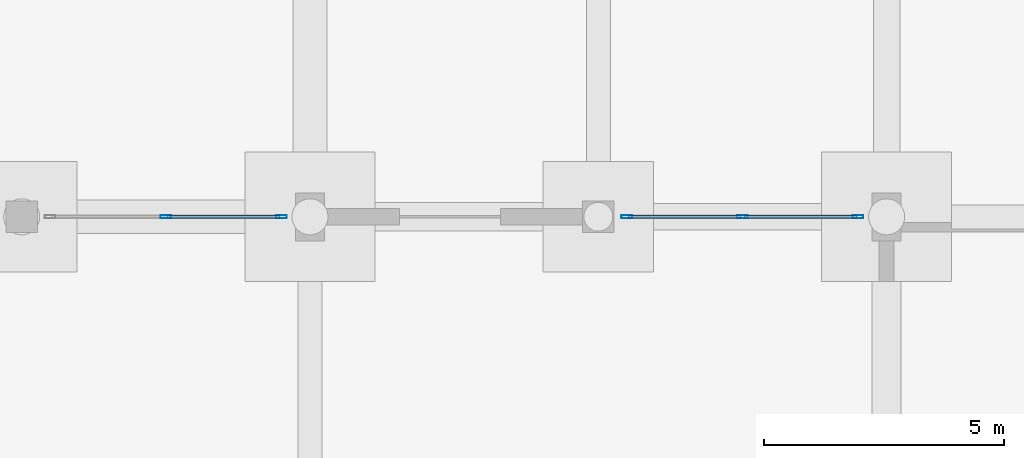
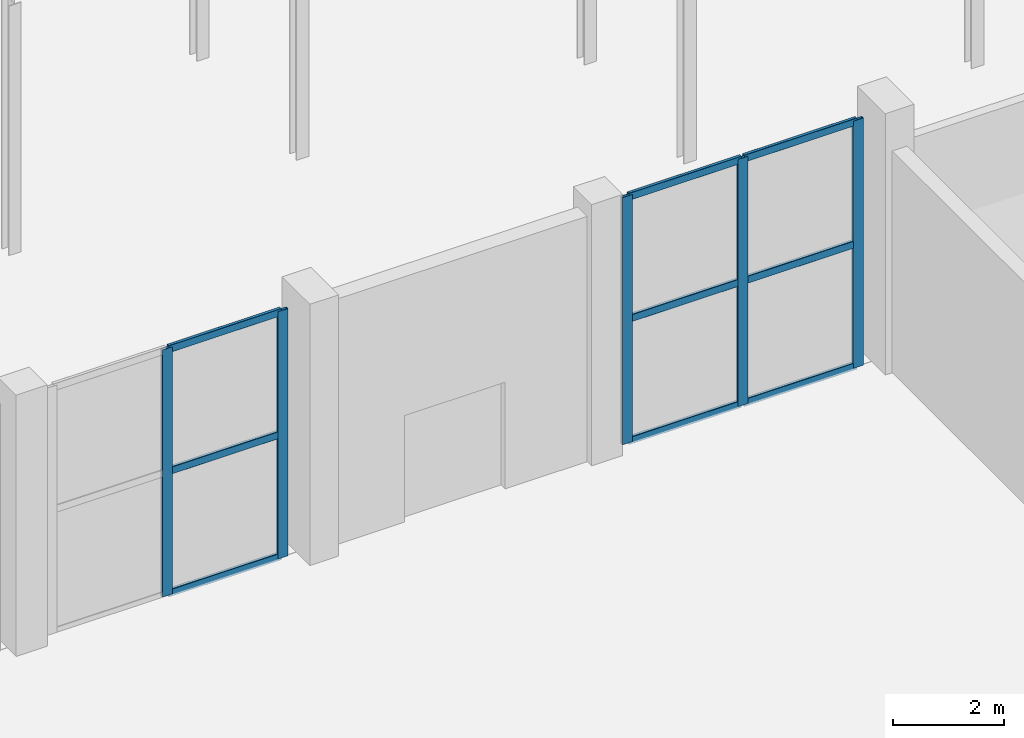
# One storey, part 62 of 103: 14 members, 2 elements without a shape of their own.
"""IFC4 building model written with IfcOpenShell, lengths in metres."""

from ifc_helpers import new_model, si_unit, direction, frame, origin, origin_2d, place, context, subcontext, project, spatial, hollow_rectangle, extrude, material, layer, layer_set, material_profile, profile_set, type_object, element, aggregate, save


model = new_model("IFC4")

# Units and contexts
model_context = context("Model", 3, precision=1e-05, world=origin(), true_north=direction((0.0, 1.0)))
body_context = subcontext(model_context, "Body", "Model", "MODEL_VIEW")
ifc_project = project(units=[si_unit("LENGTHUNIT", "METRE"), si_unit("AREAUNIT", "SQUARE_METRE"), si_unit("VOLUMEUNIT", "CUBIC_METRE"), si_unit("PLANEANGLEUNIT", "RADIAN"), si_unit("MASSUNIT", "GRAM", prefix="KILO")], contexts=[model_context])

# Site, building, storey
site_placement = place(None, origin())
site = spatial("IfcSite", under=ifc_project, at=site_placement, CompositionType="ELEMENT")
building_placement = place(site_placement, origin())
building = spatial("IfcBuilding", under=site, at=building_placement, Name="Dunvalen Ferry Terminal", CompositionType="ELEMENT")
storey_placement = place(building_placement, origin())
storey = spatial("IfcBuildingStorey", under=building, at=storey_placement, Name="L00", CompositionType="ELEMENT", Elevation=0.0)

# Curtain wall, members
ifc_material_1 = material(Name="Anodised marine aluminium and solar-control glazing", Category="aluminium")
ifc_layer = layer(ifc_material_1, 0.219970703125, Name="Anodised marine aluminium and solar-control glazing")
ifc_layer_set = layer_set([ifc_layer], Name="Anodised marine aluminium and solar-control glazing")
curtain_wall_type = type_object("IfcCurtainWallType", Name="ENV-CW-SYS-01", PredefinedType="NOTDEFINED", material=ifc_layer_set)
curtain_wall_1_placement = place(storey_placement, origin())
curtain_wall_1 = element("IfcCurtainWall", 1, at=curtain_wall_1_placement, inside=storey, type_object=curtain_wall_type, Name="L00 Curtain Wall CW-V2S-L00-04", PredefinedType="NOTDEFINED")
ifc_material_2 = material(Name="Anodised marine aluminium EN AW-6063 T6", Category="aluminium")
ifc_material_profile_1 = material_profile(ifc_material_2, hollow_rectangle(XDim=0.06494140625, YDim=0.219970703125, WallThickness=0.00390625, InnerFilletRadius=0.00390625, OuterFilletRadius=0.008056640625, at=origin_2d()), Name="Anodised marine aluminium EN AW-6063 T6")
ifc_profile_set_1 = profile_set([ifc_material_profile_1], Name="Anodised marine aluminium EN AW-6063 T6")
member_type_1 = type_object("IfcMemberType", Name="ENV-CW-MUL-1", PredefinedType="MULLION", material=ifc_profile_set_1)
member_1_placement = place(storey_placement, frame((129.0, 57.60009765625, 0.0), z_axis=(0.0, 0.0, 1.0), x_axis=(0.0, 1.0, 0.0)))
member_1 = element("IfcMember", 2, at=member_1_placement, type_object=member_type_1, Name="CW-01 mullion 2", PredefinedType="MULLION", context=body_context, shape_type="SweptSolid", body=[
    extrude(hollow_rectangle(XDim=0.06494140625, YDim=0.219970703125, WallThickness=0.00390625, InnerFilletRadius=0.00390625, OuterFilletRadius=0.008056640625, at=origin_2d()), origin(), (0.0, 0.0, 1.0), 5.449951171875),
])
member_2_placement = place(storey_placement, frame((131.407470703125, 57.60009765625, 0.0), z_axis=(0.0, 0.0, 1.0), x_axis=(0.0, 1.0, 0.0)))
member_2 = element("IfcMember", 3, at=member_2_placement, type_object=member_type_1, Name="CW-01 mullion 3", PredefinedType="MULLION", context=body_context, shape_type="SweptSolid", body=[
    extrude(hollow_rectangle(XDim=0.06494140625, YDim=0.219970703125, WallThickness=0.00390625, InnerFilletRadius=0.00390625, OuterFilletRadius=0.008056640625, at=origin_2d()), origin(), (0.0, 0.0, 1.0), 5.449951171875),
])

curtain_wall_2_placement = place(storey_placement, origin())
curtain_wall_2 = element("IfcCurtainWall", 4, at=curtain_wall_2_placement, inside=storey, type_object=curtain_wall_type, Name="L00 Curtain Wall CW-V2S-L00-06", PredefinedType="NOTDEFINED")
member_3_placement = place(storey_placement, frame((138.592529296875, 57.60009765625, 0.0), z_axis=(0.0, 0.0, 1.0), x_axis=(0.0, 1.0, 0.0)))
member_3 = element("IfcMember", 5, at=member_3_placement, type_object=member_type_1, Name="CW-01 mullion 1", PredefinedType="MULLION", context=body_context, shape_type="SweptSolid", body=[
    extrude(hollow_rectangle(XDim=0.06494140625, YDim=0.219970703125, WallThickness=0.00390625, InnerFilletRadius=0.00390625, OuterFilletRadius=0.008056640625, at=origin_2d()), origin(), (0.0, 0.0, 1.0), 5.449951171875),
])
member_4_placement = place(storey_placement, frame((141.0, 57.60009765625, 0.0), z_axis=(0.0, 0.0, 1.0), x_axis=(0.0, 1.0, 0.0)))
member_4 = element("IfcMember", 6, at=member_4_placement, type_object=member_type_1, Name="CW-01 mullion 2", PredefinedType="MULLION", context=body_context, shape_type="SweptSolid", body=[
    extrude(hollow_rectangle(XDim=0.06494140625, YDim=0.219970703125, WallThickness=0.00390625, InnerFilletRadius=0.00390625, OuterFilletRadius=0.008056640625, at=origin_2d()), origin(), (0.0, 0.0, 1.0), 5.449951171875),
])
member_5_placement = place(storey_placement, frame((143.407470703125, 57.60009765625, 0.0), z_axis=(0.0, 0.0, 1.0), x_axis=(0.0, 1.0, 0.0)))
member_5 = element("IfcMember", 7, at=member_5_placement, type_object=member_type_1, Name="CW-01 mullion 3", PredefinedType="MULLION", context=body_context, shape_type="SweptSolid", body=[
    extrude(hollow_rectangle(XDim=0.06494140625, YDim=0.219970703125, WallThickness=0.00390625, InnerFilletRadius=0.00390625, OuterFilletRadius=0.008056640625, at=origin_2d()), origin(), (0.0, 0.0, 1.0), 5.449951171875),
])

# Member
ifc_material_profile_2 = material_profile(ifc_material_2, hollow_rectangle(XDim=0.06494140625, YDim=0.159912109375, WallThickness=0.00341796875, InnerFilletRadius=0.00341796875, OuterFilletRadius=0.007080078125, at=origin_2d()), Name="Anodised marine aluminium EN AW-6063 T6")
ifc_profile_set_2 = profile_set([ifc_material_profile_2], Name="Anodised marine aluminium EN AW-6063 T6")
member_type_2 = type_object("IfcMemberType", Name="ENV-CW-TRN-1", PredefinedType="USERDEFINED", material=ifc_profile_set_2)
member_6_placement = place(storey_placement, frame((129.032470703125, 57.60009765625, 0.032470703125), z_axis=(1.0, 0.0, 0.0), x_axis=(0.0, 1.0, 0.0)))
member_6 = element("IfcMember", 8, at=member_6_placement, type_object=member_type_2, Name="CW-01 transom 2.1", ObjectType="TRANSOM", PredefinedType="USERDEFINED", context=body_context, shape_type="SweptSolid", body=[
    extrude(hollow_rectangle(XDim=0.06494140625, YDim=0.159912109375, WallThickness=0.00341796875, InnerFilletRadius=0.00341796875, OuterFilletRadius=0.007080078125, at=origin_2d()), origin(), (0.0, 0.0, 1.0), 2.342529296875),
])

member_7_placement = place(storey_placement, frame((129.032470703125, 57.60009765625, 2.72509765625), z_axis=(1.0, 0.0, 0.0), x_axis=(0.0, 1.0, 0.0)))
member_7 = element("IfcMember", 9, at=member_7_placement, type_object=member_type_2, Name="CW-01 transom 2.2", ObjectType="TRANSOM", PredefinedType="USERDEFINED", context=body_context, shape_type="SweptSolid", body=[
    extrude(hollow_rectangle(XDim=0.06494140625, YDim=0.159912109375, WallThickness=0.00341796875, InnerFilletRadius=0.00341796875, OuterFilletRadius=0.007080078125, at=origin_2d()), origin(), (0.0, 0.0, 1.0), 2.342529296875),
])

member_8_placement = place(storey_placement, frame((129.032470703125, 57.60009765625, 5.41748046875), z_axis=(1.0, 0.0, 0.0), x_axis=(0.0, 1.0, 0.0)))
member_8 = element("IfcMember", 10, at=member_8_placement, type_object=member_type_2, Name="CW-01 transom 2.3", ObjectType="TRANSOM", PredefinedType="USERDEFINED", context=body_context, shape_type="SweptSolid", body=[
    extrude(hollow_rectangle(XDim=0.06494140625, YDim=0.159912109375, WallThickness=0.00341796875, InnerFilletRadius=0.00341796875, OuterFilletRadius=0.007080078125, at=origin_2d()), origin(), (0.0, 0.0, 1.0), 2.342529296875),
])

aggregate(curtain_wall_1, [member_1, member_2, member_6, member_7, member_8])

member_9_placement = place(storey_placement, frame((138.625, 57.60009765625, 0.032470703125), z_axis=(1.0, 0.0, 0.0), x_axis=(0.0, 1.0, 0.0)))
member_9 = element("IfcMember", 11, at=member_9_placement, type_object=member_type_2, Name="CW-01 transom 1.1", ObjectType="TRANSOM", PredefinedType="USERDEFINED", context=body_context, shape_type="SweptSolid", body=[
    extrude(hollow_rectangle(XDim=0.06494140625, YDim=0.159912109375, WallThickness=0.00341796875, InnerFilletRadius=0.00341796875, OuterFilletRadius=0.007080078125, at=origin_2d()), origin(), (0.0, 0.0, 1.0), 2.342529296875),
])

member_10_placement = place(storey_placement, frame((138.625, 57.60009765625, 2.72509765625), z_axis=(1.0, 0.0, 0.0), x_axis=(0.0, 1.0, 0.0)))
member_10 = element("IfcMember", 12, at=member_10_placement, type_object=member_type_2, Name="CW-01 transom 1.2", ObjectType="TRANSOM", PredefinedType="USERDEFINED", context=body_context, shape_type="SweptSolid", body=[
    extrude(hollow_rectangle(XDim=0.06494140625, YDim=0.159912109375, WallThickness=0.00341796875, InnerFilletRadius=0.00341796875, OuterFilletRadius=0.007080078125, at=origin_2d()), origin(), (0.0, 0.0, 1.0), 2.342529296875),
])

member_11_placement = place(storey_placement, frame((138.625, 57.60009765625, 5.41748046875), z_axis=(1.0, 0.0, 0.0), x_axis=(0.0, 1.0, 0.0)))
member_11 = element("IfcMember", 13, at=member_11_placement, type_object=member_type_2, Name="CW-01 transom 1.3", ObjectType="TRANSOM", PredefinedType="USERDEFINED", context=body_context, shape_type="SweptSolid", body=[
    extrude(hollow_rectangle(XDim=0.06494140625, YDim=0.159912109375, WallThickness=0.00341796875, InnerFilletRadius=0.00341796875, OuterFilletRadius=0.007080078125, at=origin_2d()), origin(), (0.0, 0.0, 1.0), 2.342529296875),
])

member_12_placement = place(storey_placement, frame((141.032470703125, 57.60009765625, 0.032470703125), z_axis=(1.0, 0.0, 0.0), x_axis=(0.0, 1.0, 0.0)))
member_12 = element("IfcMember", 14, at=member_12_placement, type_object=member_type_2, Name="CW-01 transom 2.1", ObjectType="TRANSOM", PredefinedType="USERDEFINED", context=body_context, shape_type="SweptSolid", body=[
    extrude(hollow_rectangle(XDim=0.06494140625, YDim=0.159912109375, WallThickness=0.00341796875, InnerFilletRadius=0.00341796875, OuterFilletRadius=0.007080078125, at=origin_2d()), origin(), (0.0, 0.0, 1.0), 2.342529296875),
])

member_13_placement = place(storey_placement, frame((141.032470703125, 57.60009765625, 2.72509765625), z_axis=(1.0, 0.0, 0.0), x_axis=(0.0, 1.0, 0.0)))
member_13 = element("IfcMember", 15, at=member_13_placement, type_object=member_type_2, Name="CW-01 transom 2.2", ObjectType="TRANSOM", PredefinedType="USERDEFINED", context=body_context, shape_type="SweptSolid", body=[
    extrude(hollow_rectangle(XDim=0.06494140625, YDim=0.159912109375, WallThickness=0.00341796875, InnerFilletRadius=0.00341796875, OuterFilletRadius=0.007080078125, at=origin_2d()), origin(), (0.0, 0.0, 1.0), 2.342529296875),
])

member_14_placement = place(storey_placement, frame((141.032470703125, 57.60009765625, 5.41748046875), z_axis=(1.0, 0.0, 0.0), x_axis=(0.0, 1.0, 0.0)))
member_14 = element("IfcMember", 16, at=member_14_placement, type_object=member_type_2, Name="CW-01 transom 2.3", ObjectType="TRANSOM", PredefinedType="USERDEFINED", context=body_context, shape_type="SweptSolid", body=[
    extrude(hollow_rectangle(XDim=0.06494140625, YDim=0.159912109375, WallThickness=0.00341796875, InnerFilletRadius=0.00341796875, OuterFilletRadius=0.007080078125, at=origin_2d()), origin(), (0.0, 0.0, 1.0), 2.342529296875),
])

aggregate(curtain_wall_2, [member_3, member_4, member_5, member_9, member_10, member_11, member_12, member_13, member_14])

save(model, "model.ifc")
